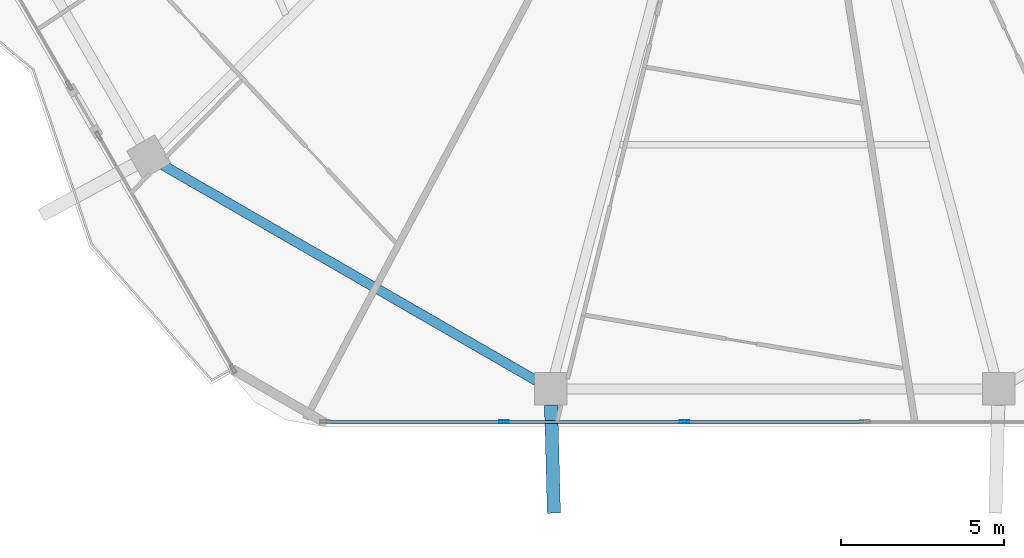
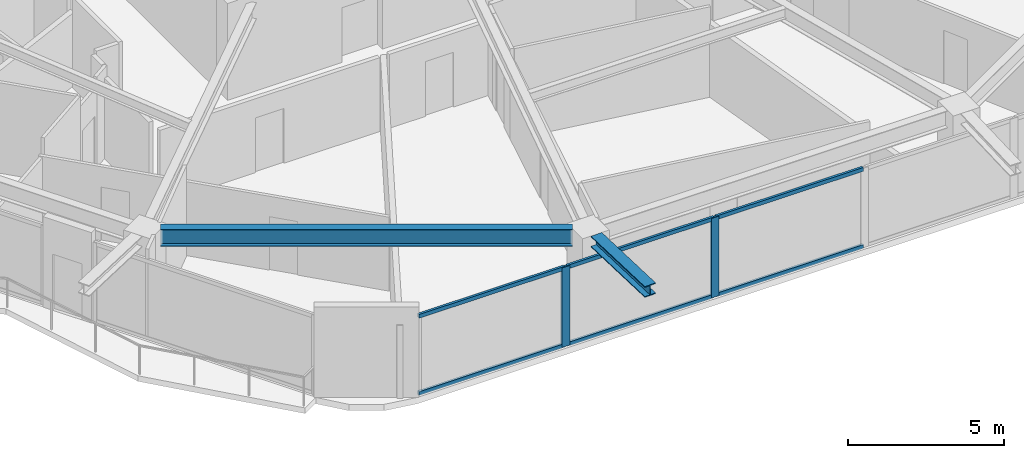
# One storey, part 3 of 25: 8 members, 2 beams, 1 element without a shape of its own.
"""IFC4 building model written with IfcOpenShell, lengths in metres."""

from ifc_helpers import new_model, si_unit, direction, frame, origin, origin_2d, place, context, subcontext, project, spatial, hollow_rectangle, i_section, extrude, material, material_profile, profile_set, type_object, element, aggregate, save


model = new_model("IFC4")

# Units and contexts
model_context = context("Model", 3, precision=1e-05, world=origin(), true_north=direction((0.0, 1.0)))
body_context = subcontext(model_context, "Body", "Model", "MODEL_VIEW")
ifc_project = project(units=[si_unit("LENGTHUNIT", "METRE"), si_unit("AREAUNIT", "SQUARE_METRE"), si_unit("VOLUMEUNIT", "CUBIC_METRE"), si_unit("PLANEANGLEUNIT", "RADIAN"), si_unit("MASSUNIT", "GRAM", prefix="KILO")], contexts=[model_context])

# Site, building, storey
site_placement = place(None, origin())
site = spatial("IfcSite", under=ifc_project, at=site_placement, CompositionType="ELEMENT")
building_placement = place(site_placement, origin())
building = spatial("IfcBuilding", under=site, at=building_placement, Name="Zuhravey Tower", CompositionType="ELEMENT")
storey_placement = place(building_placement, frame((0.0, 0.0, 180.800048828125)))
storey = spatial("IfcBuildingStorey", under=building, at=storey_placement, Name="L45", CompositionType="ELEMENT", Elevation=180.800048828125)

# Curtain wall, members
ifc_material_1 = material(Name="Thermally broken anodised aluminium", Category="aluminium")
curtain_wall_type = type_object("IfcCurtainWallType", Name="Zone 1-2 Residential Curtain Wall CW3", PredefinedType="NOTDEFINED", material=ifc_material_1)
curtain_wall_placement = place(storey_placement, origin())
curtain_wall = element("IfcCurtainWall", 1, at=curtain_wall_placement, inside=storey, type_object=curtain_wall_type, Name="L45 CW3 CW-L45-F5-1", PredefinedType="NOTDEFINED")
ifc_material_2 = material(Name="Anodised aluminium", Category="aluminium")
ifc_material_profile_1 = material_profile(ifc_material_2, hollow_rectangle(XDim=0.090087890625, YDim=0.284912109375, WallThickness=0.0048828125, at=origin_2d()), Name="ALU-RHS-90x285x5")
ifc_profile_set_1 = profile_set([ifc_material_profile_1], Name="Anodised aluminium")
member_type_1 = type_object("IfcMemberType", Name="Curtain-Wall Mullion 90x180", PredefinedType="MULLION", material=ifc_profile_set_1)
member_1_placement = place(storey_placement, frame((33.227783203125, 4.81689453125, 0.0), z_axis=(0.0, 0.0, 1.0), x_axis=(0.0, -1.0, 0.0)))
member_1 = element("IfcMember", 2, at=member_1_placement, type_object=member_type_1, Name="CW3 mullion 4", PredefinedType="MULLION", context=body_context, shape_type="SweptSolid", body=[
    extrude(hollow_rectangle(XDim=0.090087890625, YDim=0.284912109375, WallThickness=0.0048828125, at=origin_2d()), origin(), (0.0, 0.0, 1.0), 3.1220703125),
])
member_2_placement = place(storey_placement, frame((27.683349609375, 4.81689453125, 0.0), z_axis=(0.0, 0.0, 1.0), x_axis=(0.0, -1.0, 0.0)))
member_2 = element("IfcMember", 3, at=member_2_placement, type_object=member_type_1, Name="CW3 mullion 5", PredefinedType="MULLION", context=body_context, shape_type="SweptSolid", body=[
    extrude(hollow_rectangle(XDim=0.090087890625, YDim=0.284912109375, WallThickness=0.0048828125, at=origin_2d()), origin(), (0.0, 0.0, 1.0), 3.1220703125),
])
ifc_material_profile_2 = material_profile(ifc_material_2, hollow_rectangle(XDim=0.090087890625, YDim=0.14990234375, WallThickness=0.0048828125, at=origin_2d()), Name="ALU-RHS-90x150x5")
ifc_profile_set_2 = profile_set([ifc_material_profile_2], Name="Anodised aluminium")
member_type_2 = type_object("IfcMemberType", Name="Curtain-Wall Transom 90x150", PredefinedType="USERDEFINED", material=ifc_profile_set_2)
member_3_placement = place(storey_placement, frame((38.727294921875, 4.81689453125, 0.044921875), z_axis=(-1.0, 0.0, 0.0), x_axis=(0.0, -1.0, 0.0)))
member_3 = element("IfcMember", 4, at=member_3_placement, type_object=member_type_2, Name="CW3 transom 3.1", ObjectType="TRANSOM", PredefinedType="USERDEFINED", context=body_context, shape_type="SweptSolid", body=[
    extrude(hollow_rectangle(XDim=0.090087890625, YDim=0.14990234375, WallThickness=0.0048828125, at=origin_2d()), origin(), (0.0, 0.0, 1.0), 5.45458984375),
])
member_4_placement = place(storey_placement, frame((38.727294921875, 4.81689453125, 3.076904296875), z_axis=(-1.0, 0.0, 0.0), x_axis=(0.0, -1.0, 0.0)))
member_4 = element("IfcMember", 5, at=member_4_placement, type_object=member_type_2, Name="CW3 transom 3.2", ObjectType="TRANSOM", PredefinedType="USERDEFINED", context=body_context, shape_type="SweptSolid", body=[
    extrude(hollow_rectangle(XDim=0.090087890625, YDim=0.14990234375, WallThickness=0.0048828125, at=origin_2d()), origin(), (0.0, 0.0, 1.0), 5.45458984375),
])
member_5_placement = place(storey_placement, frame((33.182861328125, 4.81689453125, 0.044921875), z_axis=(-1.0, 0.0, 0.0), x_axis=(0.0, -1.0, 0.0)))
member_5 = element("IfcMember", 6, at=member_5_placement, type_object=member_type_2, Name="CW3 transom 4.1", ObjectType="TRANSOM", PredefinedType="USERDEFINED", context=body_context, shape_type="SweptSolid", body=[
    extrude(hollow_rectangle(XDim=0.090087890625, YDim=0.14990234375, WallThickness=0.0048828125, at=origin_2d()), origin(), (0.0, 0.0, 1.0), 5.45458984375),
])
member_6_placement = place(storey_placement, frame((33.182861328125, 4.81689453125, 3.076904296875), z_axis=(-1.0, 0.0, 0.0), x_axis=(0.0, -1.0, 0.0)))
member_6 = element("IfcMember", 7, at=member_6_placement, type_object=member_type_2, Name="CW3 transom 4.2", ObjectType="TRANSOM", PredefinedType="USERDEFINED", context=body_context, shape_type="SweptSolid", body=[
    extrude(hollow_rectangle(XDim=0.090087890625, YDim=0.14990234375, WallThickness=0.0048828125, at=origin_2d()), origin(), (0.0, 0.0, 1.0), 5.45458984375),
])
member_7_placement = place(storey_placement, frame((27.638427734375, 4.81689453125, 0.044921875), z_axis=(-1.0, 0.0, 0.0), x_axis=(0.0, -1.0, 0.0)))
member_7 = element("IfcMember", 8, at=member_7_placement, type_object=member_type_2, Name="CW3 transom 5.1", ObjectType="TRANSOM", PredefinedType="USERDEFINED", context=body_context, shape_type="SweptSolid", body=[
    extrude(hollow_rectangle(XDim=0.090087890625, YDim=0.14990234375, WallThickness=0.0048828125, at=origin_2d()), origin(), (0.0, 0.0, 1.0), 5.409423828125),
])
member_8_placement = place(storey_placement, frame((27.638427734375, 4.81689453125, 3.076904296875), z_axis=(-1.0, 0.0, 0.0), x_axis=(0.0, -1.0, 0.0)))
member_8 = element("IfcMember", 9, at=member_8_placement, type_object=member_type_2, Name="CW3 transom 5.2", ObjectType="TRANSOM", PredefinedType="USERDEFINED", context=body_context, shape_type="SweptSolid", body=[
    extrude(hollow_rectangle(XDim=0.090087890625, YDim=0.14990234375, WallThickness=0.0048828125, at=origin_2d()), origin(), (0.0, 0.0, 1.0), 5.409423828125),
])
aggregate(curtain_wall, [member_1, member_2, member_3, member_4, member_5, member_6, member_7, member_8])

# Beams
ifc_material_3 = material(Name="Steel SM460", Category="steel")
ifc_material_profile_3 = material_profile(ifc_material_3, i_section(OverallWidth=0.406982421875, OverallDepth=0.427978515625, WebThickness=0.02001953125, FlangeThickness=0.034912109375, at=origin_2d()), Name="H-428x407x20x35")
ifc_profile_set_3 = profile_set([ifc_material_profile_3], Name="Steel SM460")
beam_type_1 = type_object("IfcBeamType", Name="Exoskeleton Node Tie Beam H428x407", PredefinedType="BEAM", material=ifc_profile_set_3)
beam_1_placement = place(storey_placement, frame((29.13134765625, 5.322998046875, 3.3359375), z_axis=(0.026314435655, -0.999653715282, 0.0), x_axis=(0.999653715282, 0.026314435655, 0.0)))
element("IfcBeam", 10, at=beam_1_placement, inside=storey, type_object=beam_type_1, Name="L45 Exoskeleton Node Tie NT1-09", PredefinedType="BEAM", context=body_context, shape_type="SweptSolid", body=[
    extrude(i_section(OverallWidth=0.406982421875, OverallDepth=0.427978515625, WebThickness=0.02001953125, FlangeThickness=0.034912109375, at=origin_2d()), origin(), (0.0, 0.0, 1.0), 3.312255859375),
])
ifc_material_4 = material(Name="Steel SM355", Category="steel")
ifc_material_profile_4 = material_profile(ifc_material_4, i_section(OverallWidth=0.300048828125, OverallDepth=0.679931640625, WebThickness=0.012939453125, FlangeThickness=0.02197265625, at=origin_2d()), Name="H-680x300x13x22")
ifc_profile_set_4 = profile_set([ifc_material_profile_4], Name="Steel SM355")
beam_type_2 = type_object("IfcBeamType", Name="Perimeter Ring Beam H680x300", PredefinedType="BEAM", material=ifc_profile_set_4)
beam_2_placement = place(storey_placement, frame((17.210205078125, 12.701904296875, 3.2099609375), z_axis=(0.866022923061, -0.500004296715, 0.0), x_axis=(0.500004296715, 0.866022923061, 0.0)))
element("IfcBeam", 11, at=beam_2_placement, inside=storey, type_object=beam_type_2, Name="L45 PB2 BM-L45-PB-08", PredefinedType="BEAM", context=body_context, shape_type="SweptSolid", body=[
    extrude(i_section(OverallWidth=0.300048828125, OverallDepth=0.679931640625, WebThickness=0.012939453125, FlangeThickness=0.02197265625, at=origin_2d()), origin(), (0.0, 0.0, 1.0), 13.2470703125),
])

save(model, "model.ifc")
